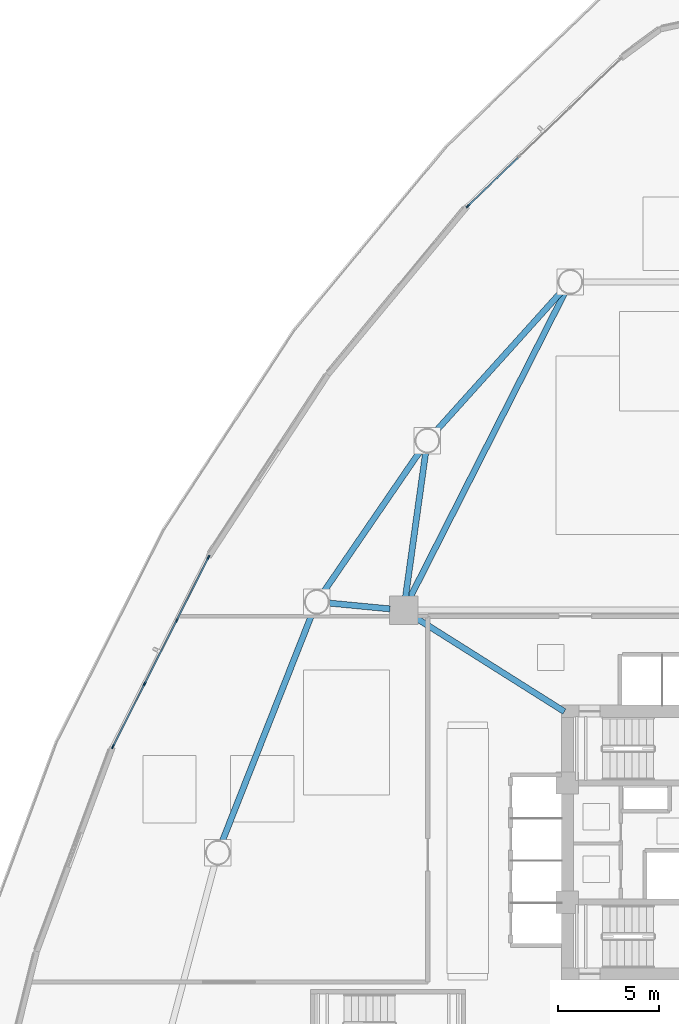
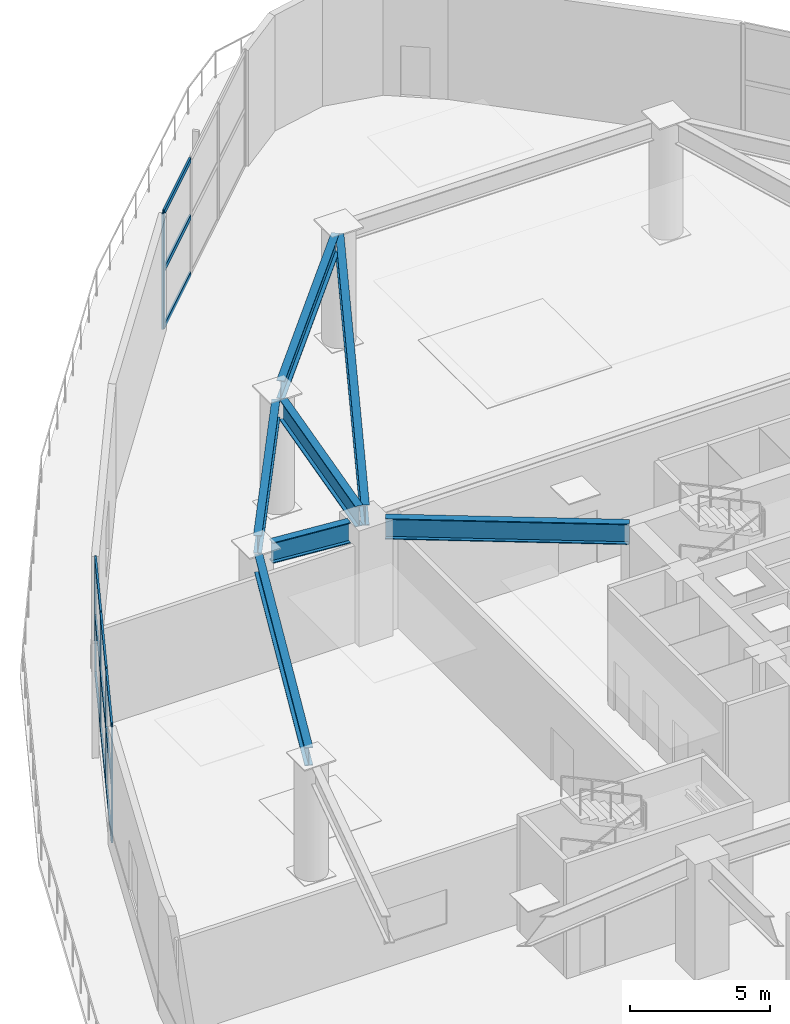
# One storey, part 6 of 25: 17 members, 7 beams, 2 elements without a shape of their own.
"""IFC4 building model written with IfcOpenShell, lengths in metres."""

from ifc_helpers import new_model, si_unit, direction, frame, origin, origin_2d, place, context, subcontext, project, spatial, hollow_rectangle, i_section, extrude, source, transform, mapped, material, layer, layer_set, material_profile, profile_set, type_object, type_shapes, element, aggregate, save


model = new_model("IFC4")

# Units and contexts
model_context = context("Model", 3, precision=1e-05, world=origin(), true_north=direction((0.0, 1.0)))
body_context = subcontext(model_context, "Body", "Model", "MODEL_VIEW")
ifc_project = project(units=[si_unit("LENGTHUNIT", "METRE"), si_unit("AREAUNIT", "SQUARE_METRE"), si_unit("VOLUMEUNIT", "CUBIC_METRE"), si_unit("PLANEANGLEUNIT", "RADIAN"), si_unit("MASSUNIT", "GRAM", prefix="KILO")], contexts=[model_context])

# Site, building, storey
site_placement = place(None, origin())
site = spatial("IfcSite", under=ifc_project, at=site_placement, CompositionType="ELEMENT")
building_placement = place(site_placement, origin())
building = spatial("IfcBuilding", under=site, at=building_placement, Name="Tavelor Broadcast Tower", CompositionType="ELEMENT")
storey_placement = place(building_placement, frame((0.0, 0.0, 11.39990234375)))
storey = spatial("IfcBuildingStorey", under=building, at=storey_placement, Name="L02", CompositionType="ELEMENT", Elevation=11.39990234375)

# Beams
ifc_material_1 = material(Name="Steel S355", Category="steel")
ifc_material_profile_1 = material_profile(ifc_material_1, i_section(OverallWidth=0.300048828125, OverallDepth=0.800048828125, WebThickness=0.017578125, FlangeThickness=0.032958984375, at=origin_2d()), Name="HEB 800")
ifc_profile_set_1 = profile_set([ifc_material_profile_1], Name="Steel S355")
beam_type_1 = type_object("IfcBeamType", Name="Podium Spandrel Beam HEB800", PredefinedType="SPANDREL", material=ifc_profile_set_1)
beam_1_placement = place(storey_placement, frame((42.85888671875, 72.320068359375, 4.650146484375), z_axis=(-0.669215412935, -0.74306845653, 0.0), x_axis=(0.74306845653, -0.669215412935, 0.0)))
element("IfcBeam", 1, at=beam_1_placement, inside=storey, type_object=beam_type_1, Name="L02 Podium Spandrel Girder 1", PredefinedType="SPANDREL", context=body_context, shape_type="SweptSolid", body=[
    extrude(i_section(OverallWidth=0.300048828125, OverallDepth=0.800048828125, WebThickness=0.017578125, FlangeThickness=0.032958984375, at=origin_2d()), origin(), (0.0, 0.0, 1.0), 9.414794921875),
])
beam_2_placement = place(storey_placement, frame((35.84228515625, 64.414794921875, 4.650146484375), z_axis=(-0.565364008772, -0.82484152271, 0.0), x_axis=(0.82484152271, -0.565364008772, 0.0)))
element("IfcBeam", 2, at=beam_2_placement, inside=storey, type_object=beam_type_1, Name="L02 Podium Spandrel Girder 2", PredefinedType="SPANDREL", context=body_context, shape_type="SweptSolid", body=[
    extrude(i_section(OverallWidth=0.300048828125, OverallDepth=0.800048828125, WebThickness=0.017578125, FlangeThickness=0.032958984375, at=origin_2d()), origin(), (0.0, 0.0, 1.0), 8.516845703125),
])
beam_3_placement = place(storey_placement, frame((30.486083984375, 56.37158203125, 4.650146484375), z_axis=(-0.367164709683, -0.930155941745, 0.0), x_axis=(0.930155941745, -0.367164709683, 0.0)))
element("IfcBeam", 3, at=beam_3_placement, inside=storey, type_object=beam_type_1, Name="L02 Podium Spandrel Girder 3", PredefinedType="SPANDREL", context=body_context, shape_type="SweptSolid", body=[
    extrude(i_section(OverallWidth=0.300048828125, OverallDepth=0.800048828125, WebThickness=0.017578125, FlangeThickness=0.032958984375, at=origin_2d()), origin(), (0.0, 0.0, 1.0), 12.182861328125),
])
ifc_material_2 = material(Name="Steel S460", Category="steel")
ifc_material_profile_2 = material_profile(ifc_material_2, i_section(OverallWidth=0.300048828125, OverallDepth=0.89990234375, WebThickness=0.0185546875, FlangeThickness=0.034912109375, at=origin_2d()), Name="HEB 900")
ifc_profile_set_2 = profile_set([ifc_material_profile_2], Name="Steel S460")
beam_type_2 = type_object("IfcBeamType", Name="Studio Long-Span Girder HEB900", PredefinedType="BEAM", material=ifc_profile_set_2)
beam_4_placement = place(storey_placement, frame((35.5751953125, 56.13720703125, 4.60009765625), z_axis=(0.845723551993, -0.533621282938, 0.0), x_axis=(0.533621282938, 0.845723551993, 0.0)))
element("IfcBeam", 4, at=beam_4_placement, inside=storey, type_object=beam_type_2, Name="L02 Core Tie Girder 4", PredefinedType="BEAM", context=body_context, shape_type="SweptSolid", body=[
    extrude(i_section(OverallWidth=0.300048828125, OverallDepth=0.89990234375, WebThickness=0.0185546875, FlangeThickness=0.034912109375, at=origin_2d()), origin(), (0.0, 0.0, 1.0), 8.724365234375),
])
beam_5_placement = place(storey_placement, frame((35.3076171875, 57.1064453125, 4.60009765625), z_axis=(0.45254782721, 0.891740132599, 0.0), x_axis=(-0.891740132599, 0.45254782721, 0.0)))
element("IfcBeam", 5, at=beam_5_placement, inside=storey, type_object=beam_type_2, Name="L02 Clear-Span Studio Girder 1", PredefinedType="BEAM", context=body_context, shape_type="SweptSolid", body=[
    extrude(i_section(OverallWidth=0.300048828125, OverallDepth=0.89990234375, WebThickness=0.0185546875, FlangeThickness=0.034912109375, at=origin_2d()), origin(), (0.0, 0.0, 1.0), 16.9638671875),
])
beam_6_placement = place(storey_placement, frame((35.093994140625, 57.173583984375, 4.60009765625), z_axis=(0.138070971987, 0.990422337538, 0.0), x_axis=(-0.990422337538, 0.138070971987, 0.0)))
element("IfcBeam", 6, at=beam_6_placement, inside=storey, type_object=beam_type_2, Name="L02 Clear-Span Studio Girder 2", PredefinedType="BEAM", context=body_context, shape_type="SweptSolid", body=[
    extrude(i_section(OverallWidth=0.300048828125, OverallDepth=0.89990234375, WebThickness=0.0185546875, FlangeThickness=0.034912109375, at=origin_2d()), origin(), (0.0, 0.0, 1.0), 7.21435546875),
])
beam_7_placement = place(storey_placement, frame((34.322998046875, 56.564697265625, 4.60009765625), z_axis=(-0.995460626314, 0.095174268889, 0.0), x_axis=(-0.095174268889, -0.995460626314, 0.0)))
element("IfcBeam", 7, at=beam_7_placement, inside=storey, type_object=beam_type_2, Name="L02 Clear-Span Studio Girder 3", PredefinedType="BEAM", context=body_context, shape_type="SweptSolid", body=[
    extrude(i_section(OverallWidth=0.300048828125, OverallDepth=0.89990234375, WebThickness=0.0185546875, FlangeThickness=0.034912109375, at=origin_2d()), origin(), (0.0, 0.0, 1.0), 3.060302734375),
])

# Curtain wall, member
ifc_material_3 = material(Name="Architectural Anodized Aluminium", Category="aluminium")
ifc_layer = layer(ifc_material_3, 0.219970703125)
ifc_layer_set = layer_set([ifc_layer], Name="Architectural Anodized Aluminium")
curtain_wall_type = type_object("IfcCurtainWallType", Name="Podium Double-Height Broadcast Curtain Wall CW01", PredefinedType="NOTDEFINED", material=ifc_layer_set)
curtain_wall_1_placement = place(storey_placement, origin())
curtain_wall_1 = element("IfcCurtainWall", 8, at=curtain_wall_1_placement, inside=storey, type_object=curtain_wall_type, Name="L02 Curtain Wall CW01 Run 7", PredefinedType="NOTDEFINED")
ifc_material_profile_3 = material_profile(ifc_material_3, hollow_rectangle(XDim=0.074951171875, YDim=0.219970703125, WallThickness=0.02197265625, at=origin_2d()), Name="RHS 75x220x22")
ifc_profile_set_3 = profile_set([ifc_material_profile_3], Name="Architectural Anodized Aluminium")
member_type_1 = type_object("IfcMemberType", Name="CW01 Extruded Aluminium Mullion 75x220", PredefinedType="MULLION", material=ifc_profile_set_3)
shared_shape_1 = source(origin(), body_context, "Body", "SweptSolid", [
    extrude(hollow_rectangle(XDim=0.074951171875, YDim=0.219970703125, WallThickness=0.02197265625, at=origin_2d()), origin(), (0.0, 0.0, 1.0), 5.050048828125),
])
type_shapes(member_type_1, [shared_shape_1])
member_1_placement = place(storey_placement, frame((38.1806640625, 76.510498046875, 0.0), z_axis=(0.0, 0.0, 1.0), x_axis=(0.693652427725, -0.72030987048, 0.0)))
member_1 = element("IfcMember", 9, at=member_1_placement, type_object=member_type_1, Name="CW01 mullion 4", PredefinedType="MULLION", context=body_context, shape_type="MappedRepresentation", body=[
    mapped(shared_shape_1, transform((0.0, 0.0, 0.0), scale=1.0)),
])

# Curtain wall, members
curtain_wall_2_placement = place(storey_placement, origin())
curtain_wall_2 = element("IfcCurtainWall", 10, at=curtain_wall_2_placement, inside=storey, type_object=curtain_wall_type, Name="L02 Curtain Wall CW01 Run 8", PredefinedType="NOTDEFINED")
member_2_placement = place(storey_placement, frame((25.33349609375, 59.105712890625, 0.0), z_axis=(0.0, 0.0, 1.0), x_axis=(0.892713810131, -0.450624070819, 0.0)))
member_2 = element("IfcMember", 11, at=member_2_placement, type_object=member_type_1, Name="CW01 mullion 1", PredefinedType="MULLION", context=body_context, shape_type="MappedRepresentation", body=[
    mapped(shared_shape_1, transform((0.0, 0.0, 0.0), scale=1.0)),
])
member_3_placement = place(storey_placement, frame((23.7646484375, 55.99755859375, 0.0), z_axis=(0.0, 0.0, 1.0), x_axis=(0.892713810131, -0.450624070819, 0.0)))
member_3 = element("IfcMember", 12, at=member_3_placement, type_object=member_type_1, Name="CW01 mullion 2", PredefinedType="MULLION", context=body_context, shape_type="MappedRepresentation", body=[
    mapped(shared_shape_1, transform((0.0, 0.0, 0.0), scale=1.0)),
])
member_4_placement = place(storey_placement, frame((22.178955078125, 52.85595703125, 0.0), z_axis=(0.0, 0.0, 1.0), x_axis=(0.892713810131, -0.450624070819, 0.0)))
member_4 = element("IfcMember", 13, at=member_4_placement, type_object=member_type_1, Name="CW01 mullion 3", PredefinedType="MULLION", context=body_context, shape_type="MappedRepresentation", body=[
    mapped(shared_shape_1, transform((0.0, 0.0, 0.0), scale=1.0)),
])
member_5_placement = place(storey_placement, frame((20.610107421875, 49.748046875, 0.0), z_axis=(0.0, 0.0, 1.0), x_axis=(0.892713810131, -0.450624070819, 0.0)))
member_5 = element("IfcMember", 14, at=member_5_placement, type_object=member_type_1, Name="CW01 mullion 4", PredefinedType="MULLION", context=body_context, shape_type="MappedRepresentation", body=[
    mapped(shared_shape_1, transform((0.0, 0.0, 0.0), scale=1.0)),
])

# Member
ifc_material_profile_4 = material_profile(ifc_material_3, hollow_rectangle(XDim=0.074951171875, YDim=0.219970703125, WallThickness=0.02197265625, at=origin_2d()), Name="RHS 75x220x22")
ifc_profile_set_4 = profile_set([ifc_material_profile_4], Name="Architectural Anodized Aluminium")
member_type_2 = type_object("IfcMemberType", Name="CW01 Extruded Aluminium Transom 75x220", PredefinedType="USERDEFINED", material=ifc_profile_set_4)
shared_shape_2 = source(origin(), body_context, "Body", "SweptSolid", [
    extrude(hollow_rectangle(XDim=0.074951171875, YDim=0.219970703125, WallThickness=0.02197265625, at=origin_2d()), origin(), (0.0, 0.0, 1.0), 3.40625),
])
member_6_placement = place(storey_placement, frame((40.6611328125, 78.899169921875, 0.03759765625), z_axis=(-0.720348067237, -0.693612760861, 0.0), x_axis=(0.693612760861, -0.720348067237, 0.0)))
member_6 = element("IfcMember", 15, at=member_6_placement, type_object=member_type_2, Name="CW01 transom 3.1", ObjectType="TRANSOM", PredefinedType="USERDEFINED", context=body_context, shape_type="MappedRepresentation", body=[
    mapped(shared_shape_2, transform((0.0, 0.0, 0.0), scale=1.0)),
])

member_7_placement = place(storey_placement, frame((40.6611328125, 78.899169921875, 2.525146484375), z_axis=(-0.720348067237, -0.693612760861, 0.0), x_axis=(0.693612760861, -0.720348067237, 0.0)))
member_7 = element("IfcMember", 16, at=member_7_placement, type_object=member_type_2, Name="CW01 transom 3.2", ObjectType="TRANSOM", PredefinedType="USERDEFINED", context=body_context, shape_type="MappedRepresentation", body=[
    mapped(shared_shape_2, transform((0.0, 0.0, 0.0), scale=1.0)),
])

member_8_placement = place(storey_placement, frame((40.6611328125, 78.899169921875, 5.0126953125), z_axis=(-0.720348067237, -0.693612760861, 0.0), x_axis=(0.693612760861, -0.720348067237, 0.0)))
member_8 = element("IfcMember", 17, at=member_8_placement, type_object=member_type_2, Name="CW01 transom 3.3", ObjectType="TRANSOM", PredefinedType="USERDEFINED", context=body_context, shape_type="MappedRepresentation", body=[
    mapped(shared_shape_2, transform((0.0, 0.0, 0.0), scale=1.0)),
])

aggregate(curtain_wall_1, [member_1, member_6, member_7, member_8])

shared_shape_3 = source(origin(), body_context, "Body", "SweptSolid", [
    extrude(hollow_rectangle(XDim=0.074951171875, YDim=0.219970703125, WallThickness=0.02197265625, at=origin_2d()), origin(), (0.0, 0.0, 1.0), 3.40673828125),
])
member_9_placement = place(storey_placement, frame((25.316650390625, 59.072265625, 0.03759765625), z_axis=(-0.450621536626, -0.892715089336, 0.0), x_axis=(0.892715089336, -0.450621536626, 0.0)))
member_9 = element("IfcMember", 18, at=member_9_placement, type_object=member_type_2, Name="CW01 transom 1.1", ObjectType="TRANSOM", PredefinedType="USERDEFINED", context=body_context, shape_type="MappedRepresentation", body=[
    mapped(shared_shape_3, transform((0.0, 0.0, 0.0), scale=1.0)),
])

member_10_placement = place(storey_placement, frame((25.316650390625, 59.072265625, 2.525146484375), z_axis=(-0.450621536626, -0.892715089336, 0.0), x_axis=(0.892715089336, -0.450621536626, 0.0)))
member_10 = element("IfcMember", 19, at=member_10_placement, type_object=member_type_2, Name="CW01 transom 1.2", ObjectType="TRANSOM", PredefinedType="USERDEFINED", context=body_context, shape_type="MappedRepresentation", body=[
    mapped(shared_shape_3, transform((0.0, 0.0, 0.0), scale=1.0)),
])

member_11_placement = place(storey_placement, frame((25.316650390625, 59.072265625, 5.0126953125), z_axis=(-0.450621536626, -0.892715089336, 0.0), x_axis=(0.892715089336, -0.450621536626, 0.0)))
member_11 = element("IfcMember", 20, at=member_11_placement, type_object=member_type_2, Name="CW01 transom 1.3", ObjectType="TRANSOM", PredefinedType="USERDEFINED", context=body_context, shape_type="MappedRepresentation", body=[
    mapped(shared_shape_3, transform((0.0, 0.0, 0.0), scale=1.0)),
])

shared_shape_4 = source(origin(), body_context, "Body", "SweptSolid", [
    extrude(hollow_rectangle(XDim=0.074951171875, YDim=0.219970703125, WallThickness=0.02197265625, at=origin_2d()), origin(), (0.0, 0.0, 1.0), 3.444091796875),
])
member_12_placement = place(storey_placement, frame((23.747802734375, 55.964111328125, 0.03759765625), z_axis=(-0.450641332419, -0.892705096611, 0.0), x_axis=(0.892705096611, -0.450641332419, 0.0)))
member_12 = element("IfcMember", 21, at=member_12_placement, type_object=member_type_2, Name="CW01 transom 2.1", ObjectType="TRANSOM", PredefinedType="USERDEFINED", context=body_context, shape_type="MappedRepresentation", body=[
    mapped(shared_shape_4, transform((0.0, 0.0, 0.0), scale=1.0)),
])

member_13_placement = place(storey_placement, frame((23.747802734375, 55.964111328125, 2.525146484375), z_axis=(-0.450641332419, -0.892705096611, 0.0), x_axis=(0.892705096611, -0.450641332419, 0.0)))
member_13 = element("IfcMember", 22, at=member_13_placement, type_object=member_type_2, Name="CW01 transom 2.2", ObjectType="TRANSOM", PredefinedType="USERDEFINED", context=body_context, shape_type="MappedRepresentation", body=[
    mapped(shared_shape_4, transform((0.0, 0.0, 0.0), scale=1.0)),
])

member_14_placement = place(storey_placement, frame((23.747802734375, 55.964111328125, 5.0126953125), z_axis=(-0.450641332419, -0.892705096611, 0.0), x_axis=(0.892705096611, -0.450641332419, 0.0)))
member_14 = element("IfcMember", 23, at=member_14_placement, type_object=member_type_2, Name="CW01 transom 2.3", ObjectType="TRANSOM", PredefinedType="USERDEFINED", context=body_context, shape_type="MappedRepresentation", body=[
    mapped(shared_shape_4, transform((0.0, 0.0, 0.0), scale=1.0)),
])

shared_shape_5 = source(origin(), body_context, "Body", "SweptSolid", [
    extrude(hollow_rectangle(XDim=0.074951171875, YDim=0.219970703125, WallThickness=0.02197265625, at=origin_2d()), origin(), (0.0, 0.0, 1.0), 3.406494140625),
])
type_shapes(member_type_2, [shared_shape_2, shared_shape_3, shared_shape_4, shared_shape_5])
member_15_placement = place(storey_placement, frame((22.162109375, 52.822509765625, 0.03759765625), z_axis=(-0.45065036688, -0.892700535919, 0.0), x_axis=(0.892700535919, -0.45065036688, 0.0)))
member_15 = element("IfcMember", 24, at=member_15_placement, type_object=member_type_2, Name="CW01 transom 3.1", ObjectType="TRANSOM", PredefinedType="USERDEFINED", context=body_context, shape_type="MappedRepresentation", body=[
    mapped(shared_shape_5, transform((0.0, 0.0, 0.0), scale=1.0)),
])

member_16_placement = place(storey_placement, frame((22.162109375, 52.822509765625, 2.525146484375), z_axis=(-0.45065036688, -0.892700535919, 0.0), x_axis=(0.892700535919, -0.45065036688, 0.0)))
member_16 = element("IfcMember", 25, at=member_16_placement, type_object=member_type_2, Name="CW01 transom 3.2", ObjectType="TRANSOM", PredefinedType="USERDEFINED", context=body_context, shape_type="MappedRepresentation", body=[
    mapped(shared_shape_5, transform((0.0, 0.0, 0.0), scale=1.0)),
])

member_17_placement = place(storey_placement, frame((22.162109375, 52.822509765625, 5.0126953125), z_axis=(-0.45065036688, -0.892700535919, 0.0), x_axis=(0.892700535919, -0.45065036688, 0.0)))
member_17 = element("IfcMember", 26, at=member_17_placement, type_object=member_type_2, Name="CW01 transom 3.3", ObjectType="TRANSOM", PredefinedType="USERDEFINED", context=body_context, shape_type="MappedRepresentation", body=[
    mapped(shared_shape_5, transform((0.0, 0.0, 0.0), scale=1.0)),
])

aggregate(curtain_wall_2, [member_2, member_3, member_4, member_5, member_9, member_10, member_11, member_12, member_13, member_14, member_15, member_16, member_17])

save(model, "model.ifc")
